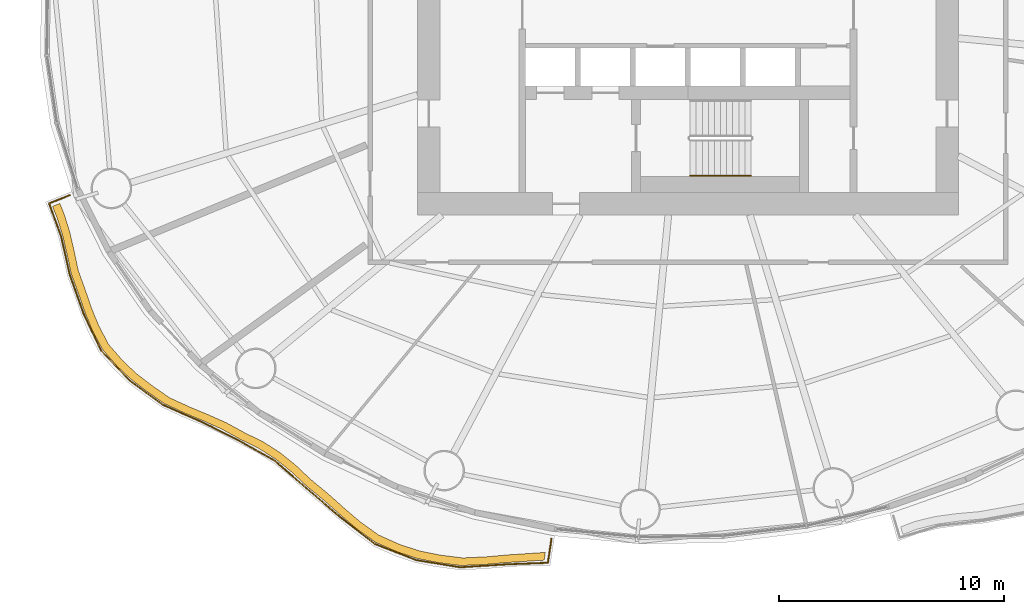
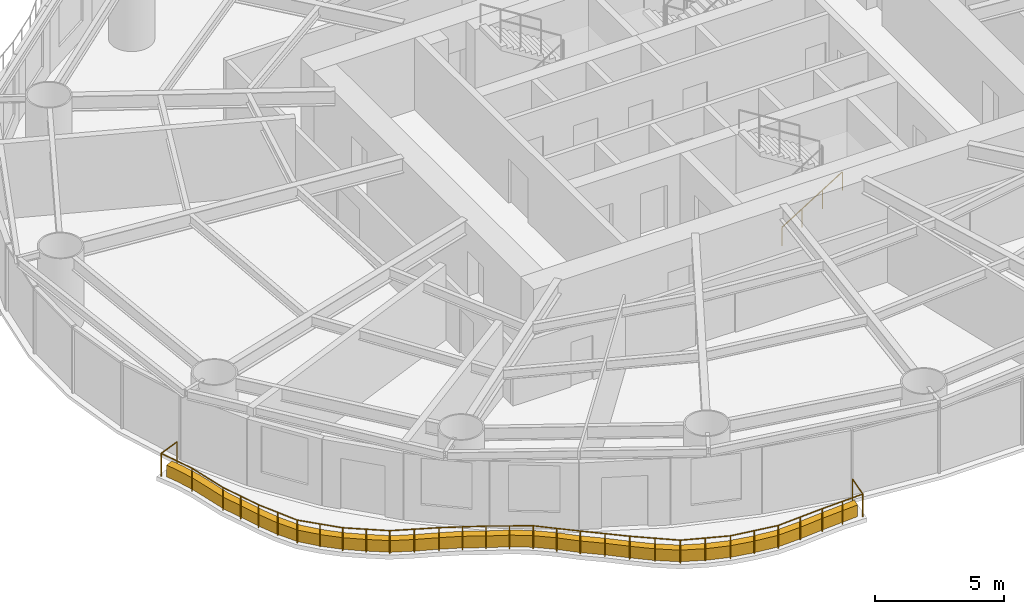
# One storey, part 12 of 16: 2 railings, 1 covering.
"""IFC4 building model written with IfcOpenShell, lengths in metres."""

from ifc_helpers import new_model, si_unit, direction, frame, origin, origin_2d, place, context, subcontext, project, spatial, polyline, circle, outline, extrude, material, type_object, element, save


model = new_model("IFC4")

# Units and contexts
model_context = context("Model", 3, precision=1e-05, world=origin(), true_north=direction((0.0, 1.0)))
body_context = subcontext(model_context, "Body", "Model", "MODEL_VIEW")
ifc_project = project(units=[si_unit("LENGTHUNIT", "METRE"), si_unit("AREAUNIT", "SQUARE_METRE"), si_unit("VOLUMEUNIT", "CUBIC_METRE"), si_unit("PLANEANGLEUNIT", "RADIAN"), si_unit("MASSUNIT", "GRAM", prefix="KILO")], contexts=[model_context])

# Site, building, storey
site_placement = place(None, origin())
site = spatial("IfcSite", under=ifc_project, at=site_placement, CompositionType="ELEMENT")
building_placement = place(site_placement, origin())
building = spatial("IfcBuilding", under=site, at=building_placement, Name="Vermilion Reach Broadcast Tower", CompositionType="ELEMENT")
storey_placement = place(building_placement, frame((0.0, 0.0, 50.800048828125)))
storey = spatial("IfcBuildingStorey", under=building, at=storey_placement, Name="L09", CompositionType="ELEMENT", Elevation=50.800048828125)

# Covering
ifc_material_1 = material(Name="Planting soil and greenery")
covering_type = type_object("IfcCoveringType", Name="Balcony PLANTER", PredefinedType="USERDEFINED", material=ifc_material_1)
covering_placement = place(storey_placement, origin())
element("IfcCovering", 1, at=covering_placement, inside=storey, type_object=covering_type, Name="PLANTER L09 group 3", ObjectType="PLANTER", PredefinedType="USERDEFINED", context=body_context, shape_type="SweptSolid", body=[
    extrude(outline(polyline([(-34.18310546875, -8.6171875), (-33.972412109375, -9.151123046875), (-33.733642578125, -9.91552734375), (-33.55078125, -10.707275390625), (-33.349609375, -11.62646484375), (-33.0185546875, -12.529541015625), (-32.74462890625, -13.32275390625), (-32.433837890625, -14.0908203125), (-31.97021484375, -14.961669921875), (-31.313232421875, -15.716064453125), (-30.7080078125, -16.28369140625), (-30.042236328125, -16.794189453125), (-29.23388671875, -17.3623046875), (-28.31005859375, -17.7939453125), (-27.48974609375, -18.132568359375), (-26.686767578125, -18.4921875), (-25.864013671875, -18.944580078125), (-25.013671875, -19.367431640625), (-24.278076171875, -19.83544921875), (-23.59423828125, -20.386474609375), (-22.883056640625, -21.051513671875), (-22.102783203125, -21.68896484375), (-21.406982421875, -22.309814453125), (-20.70263671875, -22.91259765625), (-19.850341796875, -23.520263671875), (-18.888671875, -23.948486328125), (-18.0234375, -24.232666015625), (-17.125, -24.415283203125), (-16.083984375, -24.550048828125), (-15.0068359375, -24.506103515625), (-14.043701171875, -24.419189453125), (-13.0859375, -24.357177734375), (-12.37353515625, -24.3125), (-12.321533203125, -23.96630859375), (-13.014892578125, -24.014404296875), (-13.972900390625, -24.076416015625), (-14.935791015625, -24.16357421875), (-15.99365234375, -24.211669921875), (-17.015869140625, -24.082763671875), (-17.91455078125, -23.900146484375), (-18.77978515625, -23.61572265625), (-19.721923828125, -23.19482421875), (-20.555419921875, -22.594970703125), (-21.259765625, -21.9921875), (-21.95556640625, -21.371337890625), (-22.716796875, -20.74365234375), (-23.409423828125, -20.089111328125), (-24.093505859375, -19.5380859375), (-24.828857421875, -19.070068359375), (-25.66064453125, -18.65966796875), (-26.465576171875, -18.22119140625), (-27.2685546875, -17.861328125), (-28.0888671875, -17.522705078125), (-28.994873046875, -17.106689453125), (-29.786376953125, -16.555419921875), (-30.4521484375, -16.044677734375), (-31.057373046875, -15.477294921875), (-31.697998046875, -14.74169921875), (-32.146728515625, -13.890625), (-32.45751953125, -13.122802734375), (-32.7314453125, -12.329345703125), (-33.04833984375, -11.4482421875), (-33.237060546875, -10.552001953125), (-33.420166015625, -9.76025390625), (-33.65869140625, -8.995849609375), (-33.8583984375, -8.486572265625), (-34.18310546875, -8.6171875)])), origin(), (0.0, 0.0, 1.0), 0.550048828125),
])

# Railings
ifc_material_2 = material(Name="Stainless steel 316 balustrade", Category="steel")
railing_type_1 = type_object("IfcRailingType", Name="Balcony guard 1100", PredefinedType="BALUSTRADE", material=ifc_material_2)
railing_1_placement = place(storey_placement, frame((-33.42431640625, -8.118408203125, 0.0)))
element("IfcRailing", 2, at=railing_1_placement, inside=storey, type_object=railing_type_1, Name="Balcony guard L09 group 3", PredefinedType="BALUSTRADE", context=body_context, shape_type="SweptSolid", body=[
    extrude(circle(Radius=0.02490234375, at=origin_2d()), frame((0.0, 0.0, 1.0751953125), z_axis=(-0.927790776997, -0.373100890001, 0.0), x_axis=(0.373100890001, -0.927790776997, 0.0)), (0.0, 0.0, 1.0), 0.984130859375),
    extrude(circle(Radius=0.02490234375, at=origin_2d()), frame((-0.9130859375, -0.3671875, 1.0751953125), z_axis=(0.341252610894, -0.939971624868, 0.0), x_axis=(0.939971624868, 0.341252610894, 0.0)), (0.0, 0.0, 1.0), 1.558837890625),
    extrude(circle(Radius=0.02490234375, at=origin_2d()), frame((-0.381103515625, -1.83251953125, 1.0751953125), z_axis=(0.219941426937, -0.975513079726, 0.0), x_axis=(0.975513079726, 0.219941426937, 0.0)), (0.0, 0.0, 1.0), 1.75927734375),
    extrude(circle(Radius=0.02490234375, at=origin_2d()), frame((0.005859375, -3.548828125, 1.0751953125), z_axis=(0.336584615329, -0.941653225303, 0.0), x_axis=(0.941653225303, 0.336584615329, 0.0)), (0.0, 0.0, 1.0), 1.806884765625),
    extrude(circle(Radius=0.02490234375, at=origin_2d()), frame((0.614013671875, -5.250244140625, 1.0751953125), z_axis=(0.427936266132, -0.903808913504, 0.0), x_axis=(0.903808913504, 0.427936266132, 0.0)), (0.0, 0.0, 1.0), 1.818115234375),
    extrude(circle(Radius=0.02490234375, at=origin_2d()), frame((1.39208984375, -6.8935546875, 1.0751953125), z_axis=(0.69039972288, -0.723428104684, 0.0), x_axis=(0.723428104684, 0.69039972288, 0.0)), (0.0, 0.0, 1.0), 1.833251953125),
    extrude(circle(Radius=0.02490234375, at=origin_2d()), frame((2.65771484375, -8.2197265625, 1.0751953125), z_axis=(0.806760725429, -0.590878271647, 0.0), x_axis=(0.590878271647, 0.806760725429, 0.0)), (0.0, 0.0, 1.0), 1.83203125),
    extrude(circle(Radius=0.02490234375, at=origin_2d()), frame((4.1357421875, -9.30224609375, 1.0751953125), z_axis=(0.914458100846, -0.404680592317, 0.0), x_axis=(0.404680592317, 0.914458100846, 0.0)), (0.0, 0.0, 1.0), 1.911865234375),
    extrude(circle(Radius=0.02490234375, at=origin_2d()), frame((5.884033203125, -10.075927734375, 1.0751953125), z_axis=(0.894293174358, -0.447481528443, 0.0), x_axis=(0.447481528443, 0.894293174358, 0.0)), (0.0, 0.0, 1.0), 1.822265625),
    extrude(circle(Radius=0.02490234375, at=origin_2d()), frame((7.513671875, -10.891357421875, 1.0751953125), z_axis=(0.871811338053, -0.489841801853, 0.0), x_axis=(0.489841801853, 0.871811338053, 0.0)), (0.0, 0.0, 1.0), 1.82421875),
    extrude(circle(Radius=0.02490234375, at=origin_2d()), frame((9.10400390625, -11.784912109375, 1.0751953125), z_axis=(0.754115230898, -0.656742124832, 0.0), x_axis=(0.656742124832, 0.754115230898, 0.0)), (0.0, 0.0, 1.0), 1.85546875),
    extrude(circle(Radius=0.02490234375, at=origin_2d()), frame((10.503173828125, -13.00341796875, 1.0751953125), z_axis=(0.761344221337, -0.648347882418, 0.0), x_axis=(0.648347882418, 0.761344221337, 0.0)), (0.0, 0.0, 1.0), 1.944580078125),
    extrude(circle(Radius=0.02490234375, at=origin_2d()), frame((11.983642578125, -14.26416015625, 1.0751953125), z_axis=(0.789837530256, -0.613316130391, 0.0), x_axis=(0.613316130391, 0.789837530256, 0.0)), (0.0, 0.0, 1.0), 1.976318359375),
    extrude(circle(Radius=0.02490234375, at=origin_2d()), frame((13.544677734375, -15.476318359375, 1.0751953125), z_axis=(0.931696600966, -0.363237448163, 0.0), x_axis=(0.363237448163, 0.931696600966, 0.0)), (0.0, 0.0, 1.0), 1.96533203125),
    extrude(circle(Radius=0.02490234375, at=origin_2d()), frame((15.375732421875, -16.190185546875, 1.0751953125), z_axis=(0.986835772191, -0.161725566082, 0.0), x_axis=(0.161725566082, 0.986835772191, 0.0)), (0.0, 0.0, 1.0), 1.969970703125),
    extrude(circle(Radius=0.02490234375, at=origin_2d()), frame((17.31982421875, -16.5087890625, 1.0751953125), z_axis=(0.997995593279, 0.063283455939, 0.0), x_axis=(-0.063283455939, 0.997995593279, 0.0)), (0.0, 0.0, 1.0), 2.048583984375),
    extrude(circle(Radius=0.02490234375, at=origin_2d()), frame((19.3642578125, -16.379150390625, 1.0751953125), z_axis=(0.999294094306, 0.037567447154, 0.0), x_axis=(-0.037567447154, 0.999294094306, 0.0)), (0.0, 0.0, 1.0), 1.85205078125),
    extrude(circle(Radius=0.02490234375, at=origin_2d()), frame((21.215087890625, -16.3095703125, 1.0751953125), z_axis=(0.148793803916, 0.988868243962, 0.0), x_axis=(-0.988868243962, 0.148793803916, 0.0)), (0.0, 0.0, 1.0), 1.07958984375),
    extrude(circle(Radius=0.02490234375, at=origin_2d()), origin(), (0.0, 0.0, 1.0), 1.050048828125),
    extrude(circle(Radius=0.02490234375, at=origin_2d()), frame((-0.9130859375, -0.3671875, 0.0)), (0.0, 0.0, 1.0), 1.050048828125),
    extrude(circle(Radius=0.02490234375, at=origin_2d()), frame((-0.381103515625, -1.83251953125, 0.0)), (0.0, 0.0, 1.0), 1.050048828125),
    extrude(circle(Radius=0.02490234375, at=origin_2d()), frame((0.005859375, -3.548828125, 0.0)), (0.0, 0.0, 1.0), 1.050048828125),
    extrude(circle(Radius=0.02490234375, at=origin_2d()), frame((0.31005859375, -4.3994140625, 0.0)), (0.0, 0.0, 1.0), 1.050048828125),
    extrude(circle(Radius=0.02490234375, at=origin_2d()), frame((0.614013671875, -5.250244140625, 0.0)), (0.0, 0.0, 1.0), 1.050048828125),
    extrude(circle(Radius=0.02490234375, at=origin_2d()), frame((1.0029296875, -6.07177734375, 0.0)), (0.0, 0.0, 1.0), 1.050048828125),
    extrude(circle(Radius=0.02490234375, at=origin_2d()), frame((1.39208984375, -6.8935546875, 0.0)), (0.0, 0.0, 1.0), 1.050048828125),
    extrude(circle(Radius=0.02490234375, at=origin_2d()), frame((2.02490234375, -7.556640625, 0.0)), (0.0, 0.0, 1.0), 1.050048828125),
    extrude(circle(Radius=0.02490234375, at=origin_2d()), frame((2.65771484375, -8.2197265625, 0.0)), (0.0, 0.0, 1.0), 1.050048828125),
    extrude(circle(Radius=0.02490234375, at=origin_2d()), frame((3.396728515625, -8.760986328125, 0.0)), (0.0, 0.0, 1.0), 1.050048828125),
    extrude(circle(Radius=0.02490234375, at=origin_2d()), frame((4.1357421875, -9.30224609375, 0.0)), (0.0, 0.0, 1.0), 1.050048828125),
    extrude(circle(Radius=0.02490234375, at=origin_2d()), frame((5.009765625, -9.68896484375, 0.0)), (0.0, 0.0, 1.0), 1.050048828125),
    extrude(circle(Radius=0.02490234375, at=origin_2d()), frame((5.884033203125, -10.075927734375, 0.0)), (0.0, 0.0, 1.0), 1.050048828125),
    extrude(circle(Radius=0.02490234375, at=origin_2d()), frame((6.69873046875, -10.483642578125, 0.0)), (0.0, 0.0, 1.0), 1.050048828125),
    extrude(circle(Radius=0.02490234375, at=origin_2d()), frame((7.513671875, -10.891357421875, 0.0)), (0.0, 0.0, 1.0), 1.050048828125),
    extrude(circle(Radius=0.02490234375, at=origin_2d()), frame((8.308837890625, -11.338134765625, 0.0)), (0.0, 0.0, 1.0), 1.050048828125),
    extrude(circle(Radius=0.02490234375, at=origin_2d()), frame((9.10400390625, -11.784912109375, 0.0)), (0.0, 0.0, 1.0), 1.050048828125),
    extrude(circle(Radius=0.02490234375, at=origin_2d()), frame((9.8037109375, -12.39404296875, 0.0)), (0.0, 0.0, 1.0), 1.050048828125),
    extrude(circle(Radius=0.02490234375, at=origin_2d()), frame((10.503173828125, -13.00341796875, 0.0)), (0.0, 0.0, 1.0), 1.050048828125),
    extrude(circle(Radius=0.02490234375, at=origin_2d()), frame((11.243408203125, -13.6337890625, 0.0)), (0.0, 0.0, 1.0), 1.050048828125),
    extrude(circle(Radius=0.02490234375, at=origin_2d()), frame((11.983642578125, -14.26416015625, 0.0)), (0.0, 0.0, 1.0), 1.050048828125),
    extrude(circle(Radius=0.02490234375, at=origin_2d()), frame((12.76416015625, -14.8701171875, 0.0)), (0.0, 0.0, 1.0), 1.050048828125),
    extrude(circle(Radius=0.02490234375, at=origin_2d()), frame((13.544677734375, -15.476318359375, 0.0)), (0.0, 0.0, 1.0), 1.050048828125),
    extrude(circle(Radius=0.02490234375, at=origin_2d()), frame((14.460205078125, -15.833251953125, 0.0)), (0.0, 0.0, 1.0), 1.050048828125),
    extrude(circle(Radius=0.02490234375, at=origin_2d()), frame((15.375732421875, -16.190185546875, 0.0)), (0.0, 0.0, 1.0), 1.050048828125),
    extrude(circle(Radius=0.02490234375, at=origin_2d()), frame((16.34765625, -16.349609375, 0.0)), (0.0, 0.0, 1.0), 1.050048828125),
    extrude(circle(Radius=0.02490234375, at=origin_2d()), frame((17.31982421875, -16.5087890625, 0.0)), (0.0, 0.0, 1.0), 1.050048828125),
    extrude(circle(Radius=0.02490234375, at=origin_2d()), frame((18.342041015625, -16.44384765625, 0.0)), (0.0, 0.0, 1.0), 1.050048828125),
    extrude(circle(Radius=0.02490234375, at=origin_2d()), frame((19.3642578125, -16.379150390625, 0.0)), (0.0, 0.0, 1.0), 1.050048828125),
    extrude(circle(Radius=0.02490234375, at=origin_2d()), frame((20.28955078125, -16.34423828125, 0.0)), (0.0, 0.0, 1.0), 1.050048828125),
    extrude(circle(Radius=0.02490234375, at=origin_2d()), frame((21.215087890625, -16.3095703125, 0.0)), (0.0, 0.0, 1.0), 1.050048828125),
    extrude(circle(Radius=0.02490234375, at=origin_2d()), frame((21.375732421875, -15.241943359375, 0.0)), (0.0, 0.0, 1.0), 1.050048828125),
])
ifc_material_3 = material(Name="Stainless steel", Category="steel")
railing_type_2 = type_object("IfcRailingType", Name="Stair handrail", PredefinedType="HANDRAIL", material=ifc_material_3)
railing_2_placement = place(storey_placement, frame((-5.89990234375, -7.25, 0.168212890625)))
element("IfcRailing", 3, at=railing_2_placement, inside=storey, type_object=railing_type_2, Name="L09 ST3 stair handrail 1", PredefinedType="HANDRAIL", context=body_context, shape_type="SweptSolid", body=[
    extrude(circle(Radius=0.02392578125, at=origin_2d()), frame((0.0, 0.0, 0.8759765625), z_axis=(0.84882087487, 0.0, 0.528680548522), x_axis=(0.0, 1.0, 0.0)), (0.0, 0.0, 1.0), 3.180908203125),
    extrude(circle(Radius=0.02099609375, at=origin_2d()), origin(), (0.0, 0.0, 1.0), 0.851806640625),
    extrude(circle(Radius=0.02099609375, at=origin_2d()), frame((0.89990234375, 0.0, 0.560546875)), (0.0, 0.0, 1.0), 0.851806640625),
    extrude(circle(Radius=0.02099609375, at=origin_2d()), frame((1.800048828125, 0.0, 1.12109375)), (0.0, 0.0, 1.0), 0.851806640625),
    extrude(circle(Radius=0.02099609375, at=origin_2d()), frame((2.699951171875, 0.0, 1.681640625)), (0.0, 0.0, 1.0), 0.851806640625),
])

save(model, "model.ifc")
